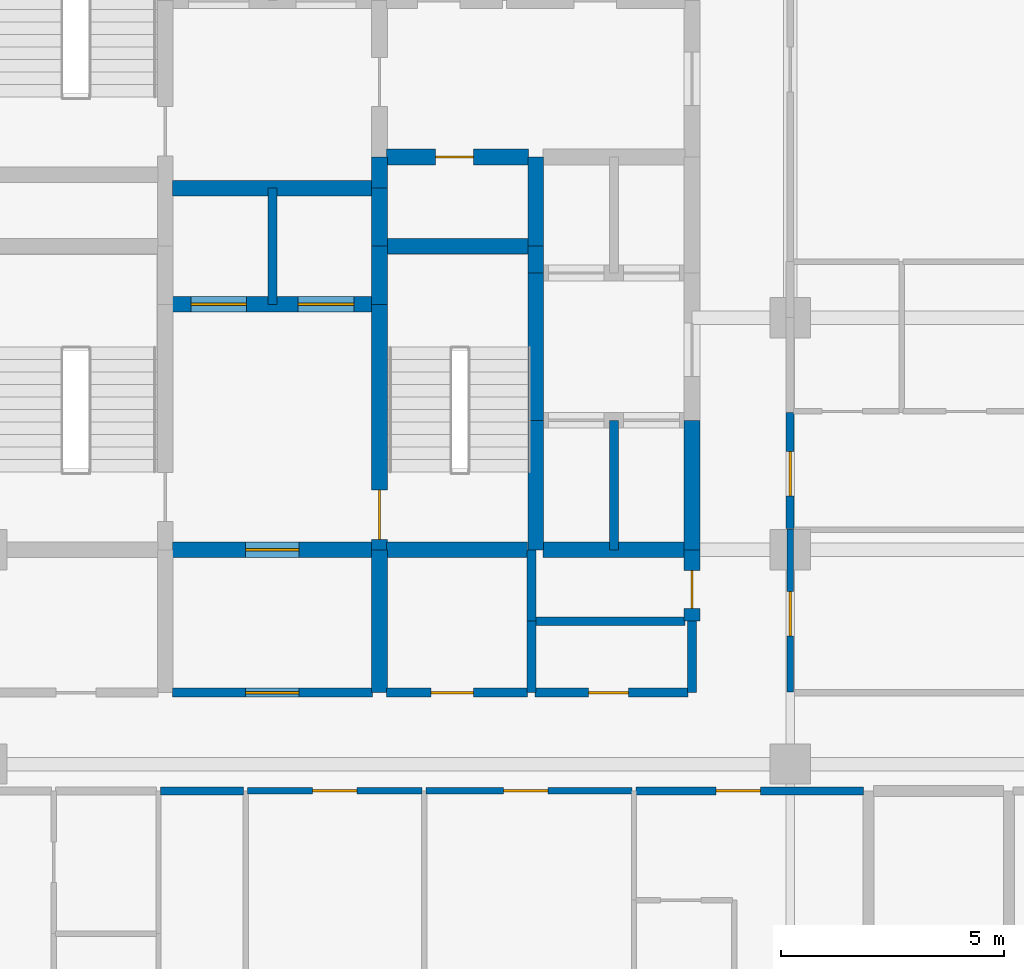
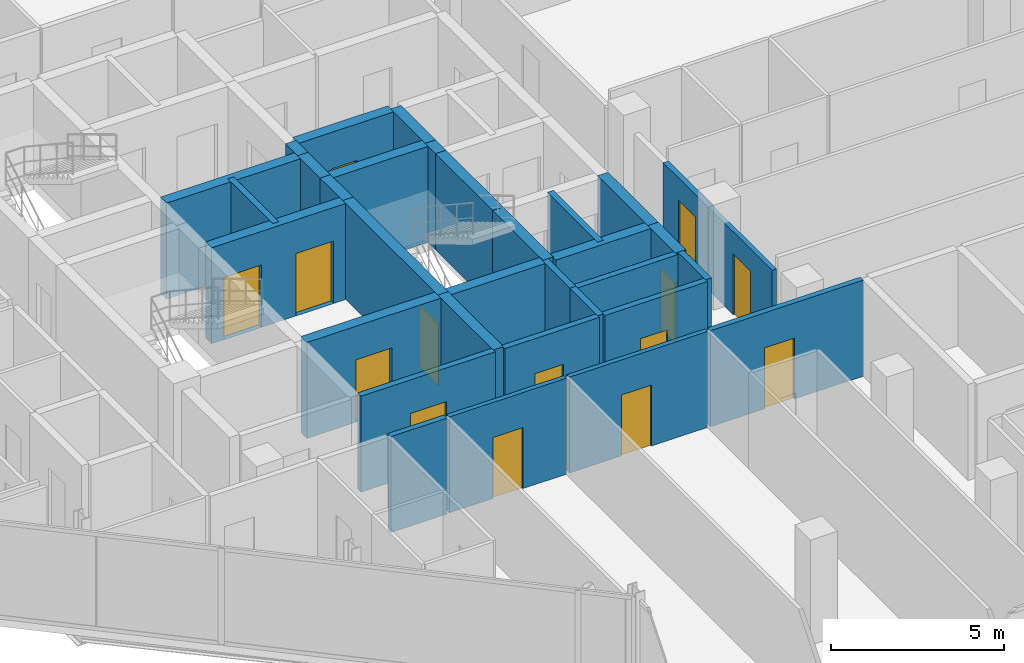
# One storey, part 26 of 32: 33 walls, 14 doors, 14 openings.
"""IFC4 building model written with IfcOpenShell, lengths in metres."""

from ifc_helpers import new_model, si_unit, direction, frame, frame_2d, origin, place, context, subcontext, project, spatial, rectangle, extrude, material, layer, layer_set, type_object, element, fill, save


model = new_model("IFC4")

# Units and contexts
model_context = context("Model", 3, precision=1e-05, world=origin(), true_north=direction((0.0, 1.0)))
body_context = subcontext(model_context, "Body", "Model", "MODEL_VIEW")
ifc_project = project(units=[si_unit("LENGTHUNIT", "METRE"), si_unit("AREAUNIT", "SQUARE_METRE"), si_unit("VOLUMEUNIT", "CUBIC_METRE"), si_unit("PLANEANGLEUNIT", "RADIAN"), si_unit("MASSUNIT", "GRAM", prefix="KILO")], contexts=[model_context])

# Site, building, storey
site_placement = place(None, origin())
site = spatial("IfcSite", under=ifc_project, at=site_placement, CompositionType="ELEMENT")
building_placement = place(site_placement, origin())
building = spatial("IfcBuilding", under=site, at=building_placement, Name="Keshet Zoharim Tower", CompositionType="ELEMENT")
storey_placement = place(building_placement, frame((0.0, 0.0, 137.199951171875)))
storey = spatial("IfcBuildingStorey", under=building, at=storey_placement, Name="L33", CompositionType="ELEMENT", Elevation=137.199951171875)

# Wall, opening, door
ifc_material_1 = material(Name="Gypsum Plasterboard", Category="gypsum")
ifc_layer_1 = layer(ifc_material_1, 0.14990234375)
ifc_layer_set_1 = layer_set([ifc_layer_1], Name="Gypsum Plasterboard")
wall_type_1 = type_object("IfcWallType", Name="WL-CLIN-150", PredefinedType="STANDARD", material=ifc_layer_set_1)
wall_1_placement = place(storey_placement, frame((33.0, 19.510009765625, 0.0), z_axis=(0.0, 0.0, 1.0), x_axis=(0.0, 1.0, 0.0)))
wall_1 = element("IfcWall", 1, at=wall_1_placement, inside=storey, type_object=wall_type_1, Name="L33 Interior Wall 071", PredefinedType="STANDARD", context=body_context, shape_type="SweptSolid", body=[
    extrude(rectangle(XDim=3.659912109375, YDim=0.14990234375, at=frame_2d((1.830078125, 0.0))), origin(), (0.0, 0.0, 1.0), 2.93505859375),
])
opening_1_placement = place(wall_1_placement, frame((1.258056640625, 0.0, 0.0)))
opening_1 = element("IfcOpeningElement", 2, at=opening_1_placement, cuts=wall_1, Name="Opening D-F310", PredefinedType="OPENING", context=body_context, shape_type="SweptSolid", body=[
    extrude(rectangle(XDim=1.0, YDim=2.14990234375, at=frame_2d((0.5, 1.074951171875))), frame((0.0, 0.0849609375, 0.0), z_axis=(0.0, -1.0, 0.0), x_axis=(1.0, 0.0, 0.0)), (0.0, 0.0, 1.0), 0.169921875),
])
ifc_material_2 = material(Name="Hardwood Timber", Category="wood")
door_type_1 = type_object("IfcDoorType", Name="DR-FD30-100", OperationType="NOTDEFINED", PredefinedType="DOOR", material=ifc_material_2)
door_1_placement = place(opening_1_placement, origin())
door_1 = element("IfcDoor", 3, at=door_1_placement, inside=storey, type_object=door_type_1, Name="L33 South East Residents Services Suite Door 2", OperationType="SINGLE_SWING_RIGHT", OverallHeight=2.14990234375, OverallWidth=1.0, PredefinedType="DOOR", context=body_context, shape_type="SweptSolid", body=[
    extrude(rectangle(XDim=1.0, YDim=2.14990234375, at=frame_2d((0.5, 1.074951171875))), frame((0.0, 0.02490234375, 0.0), z_axis=(0.0, -1.0, 0.0), x_axis=(1.0, 0.0, 0.0)), (0.0, 0.0, 1.0), 0.050048828125),
])
fill(opening_1, door_1)

wall_2_placement = place(storey_placement, frame((20.844970703125, 17.300048828125, 0.0), z_axis=(0.0, 0.0, 1.0), x_axis=(1.0, 0.0, 0.0)))
wall_2 = element("IfcWall", 4, at=wall_2_placement, inside=storey, type_object=wall_type_1, Name="L33 Interior Wall 134", PredefinedType="STANDARD", context=body_context, shape_type="SweptSolid", body=[
    extrude(rectangle(XDim=3.909912109375, YDim=0.14990234375, at=frame_2d((1.955078125, 0.0))), origin(), (0.0, 0.0, 1.0), 3.385009765625),
])
opening_2_placement = place(wall_2_placement, frame((1.455078125, 0.0, 0.0)))
opening_2 = element("IfcOpeningElement", 5, at=opening_2_placement, cuts=wall_2, Name="Opening D-F310", PredefinedType="OPENING", context=body_context, shape_type="SweptSolid", body=[
    extrude(rectangle(XDim=1.0, YDim=2.14990234375, at=frame_2d((0.5, 1.074951171875))), frame((0.0, 0.0849609375, 0.0), z_axis=(0.0, -1.0, 0.0), x_axis=(1.0, 0.0, 0.0)), (0.0, 0.0, 1.0), 0.169921875),
])
door_2_placement = place(opening_2_placement, origin())
door_2 = element("IfcDoor", 6, at=door_2_placement, inside=storey, type_object=door_type_1, Name="L33 Residents Music Studio Door", OperationType="SINGLE_SWING_RIGHT", OverallHeight=2.14990234375, OverallWidth=1.0, PredefinedType="DOOR", context=body_context, shape_type="SweptSolid", body=[
    extrude(rectangle(XDim=1.0, YDim=2.14990234375, at=frame_2d((0.5, 1.074951171875))), frame((0.0, 0.02490234375, 0.0), z_axis=(0.0, -1.0, 0.0), x_axis=(1.0, 0.0, 0.0)), (0.0, 0.0, 1.0), 0.050048828125),
])
fill(opening_2, door_2)

wall_3_placement = place(storey_placement, frame((24.844970703125, 17.300048828125, 0.0), z_axis=(0.0, 0.0, 1.0), x_axis=(1.0, 0.0, 0.0)))
wall_3 = element("IfcWall", 7, at=wall_3_placement, inside=storey, type_object=wall_type_1, Name="L33 Interior Wall 135", PredefinedType="STANDARD", context=body_context, shape_type="SweptSolid", body=[
    extrude(rectangle(XDim=4.610107421875, YDim=0.14990234375, at=frame_2d((2.30517578125, 0.0))), origin(), (0.0, 0.0, 1.0), 3.385009765625),
])
opening_3_placement = place(wall_3_placement, frame((1.73388671875, 0.0, 0.0)))
opening_3 = element("IfcOpeningElement", 8, at=opening_3_placement, cuts=wall_3, Name="Opening D-F310", PredefinedType="OPENING", context=body_context, shape_type="SweptSolid", body=[
    extrude(rectangle(XDim=1.0, YDim=2.14990234375, at=frame_2d((0.5, 1.074951171875))), frame((0.0, 0.0849609375, 0.0), z_axis=(0.0, -1.0, 0.0), x_axis=(1.0, 0.0, 0.0)), (0.0, 0.0, 1.0), 0.169921875),
])
door_3_placement = place(opening_3_placement, origin())
door_3 = element("IfcDoor", 9, at=door_3_placement, inside=storey, type_object=door_type_1, Name="L33 Residents Art Workshop Door", OperationType="SINGLE_SWING_LEFT", OverallHeight=2.14990234375, OverallWidth=1.0, PredefinedType="DOOR", context=body_context, shape_type="SweptSolid", body=[
    extrude(rectangle(XDim=1.0, YDim=2.14990234375, at=frame_2d((0.5, 1.074951171875))), frame((0.0, 0.02490234375, 0.0), z_axis=(0.0, -1.0, 0.0), x_axis=(1.0, 0.0, 0.0)), (0.0, 0.0, 1.0), 0.050048828125),
])
fill(opening_3, door_3)

# Wall
ifc_material_3 = material(Name="Concrete C60/75", Category="concrete")
ifc_layer_2 = layer(ifc_material_3, 0.35009765625)
ifc_layer_set_2 = layer_set([ifc_layer_2], Name="Concrete C60/75")
wall_type_2 = type_object("IfcWallType", Name="WL-CORE-350", PredefinedType="SHEAR", material=ifc_layer_set_2)
wall_4_placement = place(storey_placement, frame((23.800048828125, 19.5, 0.0), z_axis=(0.0, 0.0, 1.0), x_axis=(0.0, 1.0, 0.0)))
element("IfcWall", 10, at=wall_4_placement, inside=storey, type_object=wall_type_2, Name="L33 Core Shear Wall 034", PredefinedType="SHEAR", context=body_context, shape_type="SweptSolid", body=[
    extrude(rectangle(XDim=3.199951171875, YDim=0.35009765625, at=frame_2d((1.60009765625, 0.0))), origin(), (0.0, 0.0, 1.0), 3.385009765625),
])

# Wall, opening, door
wall_5_placement = place(storey_placement, frame((23.800048828125, 22.699951171875, 0.0), z_axis=(0.0, 0.0, 1.0), x_axis=(0.0, 1.0, 0.0)))
wall_5 = element("IfcWall", 11, at=wall_5_placement, inside=storey, type_object=wall_type_2, Name="L33 Core Shear Wall 035", PredefinedType="SHEAR", context=body_context, shape_type="SweptSolid", body=[
    extrude(rectangle(XDim=5.5, YDim=0.35009765625, at=frame_2d((2.75, 0.0))), origin(), (0.0, 0.0, 1.0), 3.385009765625),
])
opening_4_placement = place(wall_5_placement, frame((0.235107421875, 0.0, 0.0)))
opening_4 = element("IfcOpeningElement", 12, at=opening_4_placement, cuts=wall_5, Name="Opening D-F611", PredefinedType="OPENING", context=body_context, shape_type="SweptSolid", body=[
    extrude(rectangle(XDim=1.10009765625, YDim=2.14990234375, at=frame_2d((0.550048828125, 1.074951171875))), frame((0.0, 0.18505859375, 0.0), z_axis=(0.0, -1.0, 0.0), x_axis=(1.0, 0.0, 0.0)), (0.0, 0.0, 1.0), 0.3701171875),
])
door_type_2 = type_object("IfcDoorType", Name="DR-FD60-110", OperationType="NOTDEFINED", PredefinedType="DOOR", material=ifc_material_2)
door_4_placement = place(opening_4_placement, frame((1.10009765625, 0.0, 0.0), z_axis=(0.0, 0.0, 1.0), x_axis=(-1.0, 0.0, 0.0)))
door_4 = element("IfcDoor", 13, at=door_4_placement, inside=storey, type_object=door_type_2, Name="L33 Exit Stair ST-03 Fire Door", OperationType="SINGLE_SWING_LEFT", OverallHeight=2.14990234375, OverallWidth=1.10009765625, PredefinedType="DOOR", context=body_context, shape_type="SweptSolid", body=[
    extrude(rectangle(XDim=1.10009765625, YDim=2.14990234375, at=frame_2d((0.550048828125, 1.074951171875))), frame((0.0, 0.02490234375, 0.0), z_axis=(0.0, -1.0, 0.0), x_axis=(1.0, 0.0, 0.0)), (0.0, 0.0, 1.0), 0.050048828125),
])
fill(opening_4, door_4)

# Walls
for number, where, z_axis, x_axis, name in (
    (14, (23.800048828125, 28.199951171875, 0.0), (0.0, 0.0, 1.0), (0.0, 1.0, 0.0), "L33 Core Shear Wall 036"),
    (15, (23.800048828125, 29.5, 0.0), (0.0, 0.0, 1.0), (0.0, 1.0, 0.0), "L33 Core Shear Wall 037"),
):
    element("IfcWall", number, at=place(storey_placement, frame(where, z_axis=z_axis, x_axis=x_axis)), inside=storey, type_object=wall_type_2, Name=name, PredefinedType="SHEAR", context=body_context, shape_type="SweptSolid", body=[
        extrude(rectangle(XDim=1.300048828125, YDim=0.35009765625, at=frame_2d((0.64990234375, 0.0))), origin(), (0.0, 0.0, 1.0), 3.385009765625),
    ])
wall_6_placement = place(storey_placement, frame((23.800048828125, 30.800048828125, 0.0), z_axis=(0.0, 0.0, 1.0), x_axis=(0.0, 1.0, 0.0)))
element("IfcWall", 16, at=wall_6_placement, inside=storey, type_object=wall_type_2, Name="L33 Core Shear Wall 038", PredefinedType="SHEAR", context=body_context, shape_type="SweptSolid", body=[
    extrude(rectangle(XDim=0.699951171875, YDim=0.35009765625, at=frame_2d((0.35009765625, 0.0))), origin(), (0.0, 0.0, 1.0), 3.385009765625),
])
wall_7_placement = place(storey_placement, frame((27.300048828125, 22.699951171875, 0.0), z_axis=(0.0, 0.0, 1.0), x_axis=(0.0, 1.0, 0.0)))
element("IfcWall", 17, at=wall_7_placement, inside=storey, type_object=wall_type_2, Name="L33 Core Shear Wall 048", PredefinedType="SHEAR", context=body_context, shape_type="SweptSolid", body=[
    extrude(rectangle(XDim=2.900146484375, YDim=0.35009765625, at=frame_2d((1.4501953125, 0.0))), origin(), (0.0, 0.0, 1.0), 3.385009765625),
])
wall_8_placement = place(storey_placement, frame((27.300048828125, 25.60009765625, 0.0), z_axis=(0.0, 0.0, 1.0), x_axis=(0.0, 1.0, 0.0)))
element("IfcWall", 18, at=wall_8_placement, inside=storey, type_object=wall_type_2, Name="L33 Core Shear Wall 049", PredefinedType="SHEAR", context=body_context, shape_type="SweptSolid", body=[
    extrude(rectangle(XDim=3.2998046875, YDim=0.35009765625, at=frame_2d((1.64990234375, 0.0))), origin(), (0.0, 0.0, 1.0), 3.385009765625),
])
wall_9_placement = place(storey_placement, frame((27.300048828125, 28.89990234375, 0.0), z_axis=(0.0, 0.0, 1.0), x_axis=(0.0, 1.0, 0.0)))
element("IfcWall", 19, at=wall_9_placement, inside=storey, type_object=wall_type_2, Name="L33 Core Shear Wall 050", PredefinedType="SHEAR", context=body_context, shape_type="SweptSolid", body=[
    extrude(rectangle(XDim=0.60009765625, YDim=0.35009765625, at=frame_2d((0.300048828125, 0.0))), origin(), (0.0, 0.0, 1.0), 3.385009765625),
])
wall_10_placement = place(storey_placement, frame((27.300048828125, 29.5, 0.0), z_axis=(0.0, 0.0, 1.0), x_axis=(0.0, 1.0, 0.0)))
element("IfcWall", 20, at=wall_10_placement, inside=storey, type_object=wall_type_2, Name="L33 Core Shear Wall 051", PredefinedType="SHEAR", context=body_context, shape_type="SweptSolid", body=[
    extrude(rectangle(XDim=2.0, YDim=0.35009765625, at=frame_2d((1.0, 0.0))), origin(), (0.0, 0.0, 1.0), 3.385009765625),
])

# Wall, opening, door
wall_11_placement = place(storey_placement, frame((30.800048828125, 21.10009765625, 0.0), z_axis=(0.0, 0.0, 1.0), x_axis=(0.0, 1.0, 0.0)))
wall_11 = element("IfcWall", 21, at=wall_11_placement, inside=storey, type_object=wall_type_2, Name="L33 Core Shear Wall 059", PredefinedType="SHEAR", context=body_context, shape_type="SweptSolid", body=[
    extrude(rectangle(XDim=1.599853515625, YDim=0.35009765625, at=frame_2d((0.7998046875, 0.0))), origin(), (0.0, 0.0, 1.0), 3.385009765625),
])
opening_5_placement = place(wall_11_placement, frame((0.287109375, 0.0, 0.0)))
opening_5 = element("IfcOpeningElement", 22, at=opening_5_placement, cuts=wall_11, Name="Opening D-RS85", PredefinedType="OPENING", context=body_context, shape_type="SweptSolid", body=[
    extrude(rectangle(XDim=0.85009765625, YDim=2.10009765625, at=frame_2d((0.425048828125, 1.050048828125))), frame((0.0, 0.18505859375, 0.0), z_axis=(0.0, -1.0, 0.0), x_axis=(1.0, 0.0, 0.0)), (0.0, 0.0, 1.0), 0.3701171875),
])
door_type_3 = type_object("IfcDoorType", Name="DR-RIS-085", OperationType="NOTDEFINED", PredefinedType="DOOR", material=ifc_material_2)
door_5_placement = place(opening_5_placement, origin())
door_5 = element("IfcDoor", 23, at=door_5_placement, inside=storey, type_object=door_type_3, Name="L33 Linen Store Door", OperationType="SINGLE_SWING_LEFT", OverallHeight=2.10009765625, OverallWidth=0.85009765625, PredefinedType="DOOR", context=body_context, shape_type="SweptSolid", body=[
    extrude(rectangle(XDim=0.85009765625, YDim=2.10009765625, at=frame_2d((0.425048828125, 1.050048828125))), frame((0.0, 0.02490234375, 0.0), z_axis=(0.0, -1.0, 0.0), x_axis=(1.0, 0.0, 0.0)), (0.0, 0.0, 1.0), 0.050048828125),
])
fill(opening_5, door_5)

# Wall
wall_12_placement = place(storey_placement, frame((30.800048828125, 22.699951171875, 0.0), z_axis=(0.0, 0.0, 1.0), x_axis=(0.0, 1.0, 0.0)))
element("IfcWall", 24, at=wall_12_placement, inside=storey, type_object=wall_type_2, Name="L33 Core Shear Wall 060", PredefinedType="SHEAR", context=body_context, shape_type="SweptSolid", body=[
    extrude(rectangle(XDim=2.900146484375, YDim=0.35009765625, at=frame_2d((1.4501953125, 0.0))), origin(), (0.0, 0.0, 1.0), 3.385009765625),
])

# Wall, opening, door
wall_13_placement = place(storey_placement, frame((19.159912109375, 22.699951171875, 0.0), z_axis=(0.0, 0.0, 1.0), x_axis=(1.0, 0.0, 0.0)))
wall_13 = element("IfcWall", 25, at=wall_13_placement, inside=storey, type_object=wall_type_2, Name="L33 Core Shear Wall 155", PredefinedType="SHEAR", context=body_context, shape_type="SweptSolid", body=[
    extrude(rectangle(XDim=4.47998046875, YDim=0.35009765625, at=frame_2d((2.239990234375, 0.0))), origin(), (0.0, 0.0, 1.0), 3.385009765625),
])
opening_6_placement = place(wall_13_placement, frame((1.639892578125, 0.0, 0.0)))
opening_6 = element("IfcOpeningElement", 26, at=opening_6_placement, cuts=wall_13, Name="Opening D-F612", PredefinedType="OPENING", context=body_context, shape_type="SweptSolid", body=[
    extrude(rectangle(XDim=1.199951171875, YDim=2.199951171875, at=frame_2d((0.60009765625, 1.10009765625))), frame((0.0, 0.18505859375, 0.0), z_axis=(0.0, -1.0, 0.0), x_axis=(1.0, 0.0, 0.0)), (0.0, 0.0, 1.0), 0.3701171875),
])
door_type_4 = type_object("IfcDoorType", Name="DR-FD60-120", OperationType="NOTDEFINED", PredefinedType="DOOR", material=ifc_material_2)
door_6_placement = place(opening_6_placement, origin())
door_6 = element("IfcDoor", 27, at=door_6_placement, inside=storey, type_object=door_type_4, Name="L33 South Core Lobby Fire Door", OperationType="SINGLE_SWING_LEFT", OverallHeight=2.199951171875, OverallWidth=1.199951171875, PredefinedType="DOOR", context=body_context, shape_type="SweptSolid", body=[
    extrude(rectangle(XDim=1.199951171875, YDim=2.199951171875, at=frame_2d((0.60009765625, 1.10009765625))), frame((0.0, 0.02490234375, 0.0), z_axis=(0.0, -1.0, 0.0), x_axis=(1.0, 0.0, 0.0)), (0.0, 0.0, 1.0), 0.050048828125),
])
fill(opening_6, door_6)

# Walls
wall_14_placement = place(storey_placement, frame((23.9599609375, 22.699951171875, 0.0), z_axis=(0.0, 0.0, 1.0), x_axis=(1.0, 0.0, 0.0)))
element("IfcWall", 28, at=wall_14_placement, inside=storey, type_object=wall_type_2, Name="L33 Core Shear Wall 156", PredefinedType="SHEAR", context=body_context, shape_type="SweptSolid", body=[
    extrude(rectangle(XDim=3.155029296875, YDim=0.35009765625, at=frame_2d((1.57763671875, 0.0))), origin(), (0.0, 0.0, 1.0), 3.385009765625),
])
wall_15_placement = place(storey_placement, frame((27.4599609375, 22.699951171875, 0.0), z_axis=(0.0, 0.0, 1.0), x_axis=(1.0, 0.0, 0.0)))
element("IfcWall", 29, at=wall_15_placement, inside=storey, type_object=wall_type_2, Name="L33 Core Shear Wall 157", PredefinedType="SHEAR", context=body_context, shape_type="SweptSolid", body=[
    extrude(rectangle(XDim=3.179931640625, YDim=0.35009765625, at=frame_2d((1.58984375, 0.0))), origin(), (0.0, 0.0, 1.0), 3.385009765625),
])

# Wall, openings, doors
wall_16_placement = place(storey_placement, frame((19.159912109375, 28.199951171875, 0.0), z_axis=(0.0, 0.0, 1.0), x_axis=(1.0, 0.0, 0.0)))
wall_16 = element("IfcWall", 30, at=wall_16_placement, inside=storey, type_object=wall_type_2, Name="L33 Core Shear Wall 167", PredefinedType="SHEAR", context=body_context, shape_type="SweptSolid", body=[
    extrude(rectangle(XDim=4.47998046875, YDim=0.35009765625, at=frame_2d((2.239990234375, 0.0))), origin(), (0.0, 0.0, 1.0), 3.385009765625),
])
opening_7_placement = place(wall_16_placement, frame((0.4150390625, 0.0, 0.0)))
opening_7 = element("IfcOpeningElement", 31, at=opening_7_placement, cuts=wall_16, Name="Opening LD-01", PredefinedType="OPENING", context=body_context, shape_type="SweptSolid", body=[
    extrude(rectangle(XDim=1.25, YDim=2.199951171875, at=frame_2d((0.625, 1.10009765625))), frame((0.0, 0.18505859375, 0.0), z_axis=(0.0, -1.0, 0.0), x_axis=(1.0, 0.0, 0.0)), (0.0, 0.0, 1.0), 0.3701171875),
])
opening_8_placement = place(wall_16_placement, frame((2.81494140625, 0.0, 0.0)))
opening_8 = element("IfcOpeningElement", 32, at=opening_8_placement, cuts=wall_16, Name="Opening LD-01", PredefinedType="OPENING", context=body_context, shape_type="SweptSolid", body=[
    extrude(rectangle(XDim=1.25, YDim=2.199951171875, at=frame_2d((0.625, 1.10009765625))), frame((0.0, 0.18505859375, 0.0), z_axis=(0.0, -1.0, 0.0), x_axis=(1.0, 0.0, 0.0)), (0.0, 0.0, 1.0), 0.3701171875),
])
ifc_material_4 = material(Name="Steel S355", Category="steel")
door_type_5 = type_object("IfcDoorType", Name="DR-LD01-125", OperationType="DOUBLE_DOOR_SLIDING", PredefinedType="DOOR", material=ifc_material_4)
door_7_placement = place(opening_7_placement, origin())
door_7 = element("IfcDoor", 33, at=door_7_placement, inside=storey, type_object=door_type_5, Name="L33 Passenger Lift Landing Door LF-09", OperationType="DOUBLE_DOOR_SLIDING", OverallHeight=2.199951171875, OverallWidth=1.25, PredefinedType="DOOR", context=body_context, shape_type="SweptSolid", body=[
    extrude(rectangle(XDim=1.25, YDim=2.199951171875, at=frame_2d((0.625, 1.10009765625))), frame((0.0, 0.02490234375, 0.0), z_axis=(0.0, -1.0, 0.0), x_axis=(1.0, 0.0, 0.0)), (0.0, 0.0, 1.0), 0.050048828125),
])
fill(opening_7, door_7)
door_8_placement = place(opening_8_placement, origin())
door_8 = element("IfcDoor", 34, at=door_8_placement, inside=storey, type_object=door_type_5, Name="L33 Passenger Lift Landing Door LF-10", OperationType="DOUBLE_DOOR_SLIDING", OverallHeight=2.199951171875, OverallWidth=1.25, PredefinedType="DOOR", context=body_context, shape_type="SweptSolid", body=[
    extrude(rectangle(XDim=1.25, YDim=2.199951171875, at=frame_2d((0.625, 1.10009765625))), frame((0.0, 0.02490234375, 0.0), z_axis=(0.0, -1.0, 0.0), x_axis=(1.0, 0.0, 0.0)), (0.0, 0.0, 1.0), 0.050048828125),
])
fill(opening_8, door_8)

# Walls
wall_17_placement = place(storey_placement, frame((23.9599609375, 29.5, 0.0), z_axis=(0.0, 0.0, 1.0), x_axis=(1.0, 0.0, 0.0)))
element("IfcWall", 35, at=wall_17_placement, inside=storey, type_object=wall_type_2, Name="L33 Core Shear Wall 177", PredefinedType="SHEAR", context=body_context, shape_type="SweptSolid", body=[
    extrude(rectangle(XDim=3.179931640625, YDim=0.35009765625, at=frame_2d((1.58984375, 0.0))), origin(), (0.0, 0.0, 1.0), 3.385009765625),
])
wall_18_placement = place(storey_placement, frame((19.159912109375, 30.800048828125, 0.0), z_axis=(0.0, 0.0, 1.0), x_axis=(1.0, 0.0, 0.0)))
element("IfcWall", 36, at=wall_18_placement, inside=storey, type_object=wall_type_2, Name="L33 Core Shear Wall 178", PredefinedType="SHEAR", context=body_context, shape_type="SweptSolid", body=[
    extrude(rectangle(XDim=4.47998046875, YDim=0.35009765625, at=frame_2d((2.239990234375, 0.0))), origin(), (0.0, 0.0, 1.0), 3.385009765625),
])

# Wall, opening, door
wall_19_placement = place(storey_placement, frame((23.9599609375, 31.5, 0.0), z_axis=(0.0, 0.0, 1.0), x_axis=(1.0, 0.0, 0.0)))
wall_19 = element("IfcWall", 37, at=wall_19_placement, inside=storey, type_object=wall_type_2, Name="L33 Core Shear Wall 182", PredefinedType="SHEAR", context=body_context, shape_type="SweptSolid", body=[
    extrude(rectangle(XDim=3.179931640625, YDim=0.35009765625, at=frame_2d((1.58984375, 0.0))), origin(), (0.0, 0.0, 1.0), 3.385009765625),
])
opening_9_placement = place(wall_19_placement, frame((1.093994140625, 0.0, 0.0)))
opening_9 = element("IfcOpeningElement", 38, at=opening_9_placement, cuts=wall_19, Name="Opening D-RS85", PredefinedType="OPENING", context=body_context, shape_type="SweptSolid", body=[
    extrude(rectangle(XDim=0.85009765625, YDim=2.10009765625, at=frame_2d((0.425048828125, 1.050048828125))), frame((0.0, 0.18505859375, 0.0), z_axis=(0.0, -1.0, 0.0), x_axis=(1.0, 0.0, 0.0)), (0.0, 0.0, 1.0), 0.3701171875),
])
door_9_placement = place(opening_9_placement, origin())
door_9 = element("IfcDoor", 39, at=door_9_placement, inside=storey, type_object=door_type_3, Name="L33 Telecom Riser Access Cupboard Door", OperationType="SINGLE_SWING_RIGHT", OverallHeight=2.10009765625, OverallWidth=0.85009765625, PredefinedType="DOOR", context=body_context, shape_type="SweptSolid", body=[
    extrude(rectangle(XDim=0.85009765625, YDim=2.10009765625, at=frame_2d((0.425048828125, 1.050048828125))), frame((0.0, 0.02490234375, 0.0), z_axis=(0.0, -1.0, 0.0), x_axis=(1.0, 0.0, 0.0)), (0.0, 0.0, 1.0), 0.050048828125),
])
fill(opening_9, door_9)

ifc_layer_3 = layer(ifc_material_1, 0.179931640625)
ifc_layer_set_3 = layer_set([ifc_layer_3], Name="Gypsum Plasterboard")
wall_type_3 = type_object("IfcWallType", Name="WL-CORR-180", PredefinedType="STANDARD", material=ifc_layer_set_3)
wall_20_placement = place(storey_placement, frame((33.0, 23.179931640625, 0.0), z_axis=(0.0, 0.0, 1.0), x_axis=(0.0, 1.0, 0.0)))
wall_20 = element("IfcWall", 40, at=wall_20_placement, inside=storey, type_object=wall_type_3, Name="L33 Interior Wall 072", PredefinedType="STANDARD", context=body_context, shape_type="SweptSolid", body=[
    extrude(rectangle(XDim=2.60009765625, YDim=0.179931640625, at=frame_2d((1.300048828125, 0.0))), origin(), (0.0, 0.0, 1.0), 2.93505859375),
])
opening_10_placement = place(wall_20_placement, frame((0.722900390625, 0.0, 0.0)))
opening_10 = element("IfcOpeningElement", 41, at=opening_10_placement, cuts=wall_20, Name="Opening D-F310", PredefinedType="OPENING", context=body_context, shape_type="SweptSolid", body=[
    extrude(rectangle(XDim=1.0, YDim=2.14990234375, at=frame_2d((0.5, 1.074951171875))), frame((0.0, 0.10009765625, 0.0), z_axis=(0.0, -1.0, 0.0), x_axis=(1.0, 0.0, 0.0)), (0.0, 0.0, 1.0), 0.199951171875),
])
door_10_placement = place(opening_10_placement, origin())
door_10 = element("IfcDoor", 42, at=door_10_placement, inside=storey, type_object=door_type_1, Name="Apartment 3309 Entrance Door", OperationType="SINGLE_SWING_LEFT", OverallHeight=2.14990234375, OverallWidth=1.0, PredefinedType="DOOR", context=body_context, shape_type="SweptSolid", body=[
    extrude(rectangle(XDim=1.0, YDim=2.14990234375, at=frame_2d((0.5, 1.074951171875))), frame((0.0, 0.02490234375, 0.0), z_axis=(0.0, -1.0, 0.0), x_axis=(1.0, 0.0, 0.0)), (0.0, 0.0, 1.0), 0.050048828125),
])
fill(opening_10, door_10)

# Wall
wall_21_placement = place(storey_placement, frame((18.89501953125, 17.300048828125, 0.0), z_axis=(0.0, 0.0, 1.0), x_axis=(1.0, 0.0, 0.0)))
element("IfcWall", 43, at=wall_21_placement, inside=storey, type_object=wall_type_3, Name="L33 Interior Wall 133", PredefinedType="STANDARD", context=body_context, shape_type="SweptSolid", body=[
    extrude(rectangle(XDim=1.85986328125, YDim=0.179931640625, at=frame_2d((0.929931640625, 0.0))), origin(), (0.0, 0.0, 1.0), 3.385009765625),
])

# Wall, opening, door
wall_22_placement = place(storey_placement, frame((29.544921875, 17.300048828125, 0.0), z_axis=(0.0, 0.0, 1.0), x_axis=(1.0, 0.0, 0.0)))
wall_22 = element("IfcWall", 44, at=wall_22_placement, inside=storey, type_object=wall_type_3, Name="L33 Interior Wall 136", PredefinedType="STANDARD", context=body_context, shape_type="SweptSolid", body=[
    extrude(rectangle(XDim=5.094970703125, YDim=0.179931640625, at=frame_2d((2.54736328125, 0.0))), origin(), (0.0, 0.0, 1.0), 3.385009765625),
])
opening_11_placement = place(wall_22_placement, frame((1.7919921875, 0.0, 0.0)))
opening_11 = element("IfcOpeningElement", 45, at=opening_11_placement, cuts=wall_22, Name="Opening D-F310", PredefinedType="OPENING", context=body_context, shape_type="SweptSolid", body=[
    extrude(rectangle(XDim=1.0, YDim=2.14990234375, at=frame_2d((0.5, 1.074951171875))), frame((0.0, 0.10009765625, 0.0), z_axis=(0.0, -1.0, 0.0), x_axis=(1.0, 0.0, 0.0)), (0.0, 0.0, 1.0), 0.199951171875),
])
door_11_placement = place(opening_11_placement, origin())
door_11 = element("IfcDoor", 46, at=door_11_placement, inside=storey, type_object=door_type_1, Name="Apartment 3302 Entrance Door", OperationType="SINGLE_SWING_RIGHT", OverallHeight=2.14990234375, OverallWidth=1.0, PredefinedType="DOOR", context=body_context, shape_type="SweptSolid", body=[
    extrude(rectangle(XDim=1.0, YDim=2.14990234375, at=frame_2d((0.5, 1.074951171875))), frame((0.0, 0.02490234375, 0.0), z_axis=(0.0, -1.0, 0.0), x_axis=(1.0, 0.0, 0.0)), (0.0, 0.0, 1.0), 0.050048828125),
])
fill(opening_11, door_11)

# Walls
ifc_material_5 = material(Name="Concrete C50/60", Category="concrete")
ifc_layer_4 = layer(ifc_material_5, 0.199951171875)
ifc_layer_set_4 = layer_set([ifc_layer_4], Name="Concrete C50/60")
wall_type_4 = type_object("IfcWallType", Name="WL-FIRE-200", PredefinedType="STANDARD", material=ifc_layer_set_4)
wall_23_placement = place(storey_placement, frame((21.39990234375, 28.199951171875, 0.0), z_axis=(0.0, 0.0, 1.0), x_axis=(0.0, 1.0, 0.0)))
element("IfcWall", 47, at=wall_23_placement, inside=storey, type_object=wall_type_4, Name="L33 Interior Wall 032", PredefinedType="STANDARD", context=body_context, shape_type="SweptSolid", body=[
    extrude(rectangle(XDim=2.60009765625, YDim=0.199951171875, at=frame_2d((1.300048828125, 0.0))), origin(), (0.0, 0.0, 1.0), 3.385009765625),
])
wall_24_placement = place(storey_placement, frame((27.199951171875, 19.5, 0.0), z_axis=(0.0, 0.0, 1.0), x_axis=(0.0, 1.0, 0.0)))
element("IfcWall", 48, at=wall_24_placement, inside=storey, type_object=wall_type_4, Name="L33 Interior Wall 046", PredefinedType="STANDARD", context=body_context, shape_type="SweptSolid", body=[
    extrude(rectangle(XDim=1.60009765625, YDim=0.199951171875, at=frame_2d((0.800048828125, 0.0))), origin(), (0.0, 0.0, 1.0), 3.385009765625),
])
wall_25_placement = place(storey_placement, frame((27.199951171875, 21.10009765625, 0.0), z_axis=(0.0, 0.0, 1.0), x_axis=(0.0, 1.0, 0.0)))
element("IfcWall", 49, at=wall_25_placement, inside=storey, type_object=wall_type_4, Name="L33 Interior Wall 047", PredefinedType="STANDARD", context=body_context, shape_type="SweptSolid", body=[
    extrude(rectangle(XDim=1.599853515625, YDim=0.199951171875, at=frame_2d((0.7998046875, 0.0))), origin(), (0.0, 0.0, 1.0), 3.385009765625),
])
wall_26_placement = place(storey_placement, frame((29.050048828125, 22.699951171875, 0.0), z_axis=(0.0, 0.0, 1.0), x_axis=(0.0, 1.0, 0.0)))
element("IfcWall", 50, at=wall_26_placement, inside=storey, type_object=wall_type_4, Name="L33 Interior Wall 054", PredefinedType="STANDARD", context=body_context, shape_type="SweptSolid", body=[
    extrude(rectangle(XDim=2.900146484375, YDim=0.199951171875, at=frame_2d((1.4501953125, 0.0))), origin(), (0.0, 0.0, 1.0), 3.385009765625),
])
wall_27_placement = place(storey_placement, frame((30.800048828125, 19.5, 0.0), z_axis=(0.0, 0.0, 1.0), x_axis=(0.0, 1.0, 0.0)))
element("IfcWall", 51, at=wall_27_placement, inside=storey, type_object=wall_type_4, Name="L33 Interior Wall 058", PredefinedType="STANDARD", context=body_context, shape_type="SweptSolid", body=[
    extrude(rectangle(XDim=1.60009765625, YDim=0.199951171875, at=frame_2d((0.800048828125, 0.0))), origin(), (0.0, 0.0, 1.0), 3.385009765625),
])

# Wall, opening, door
wall_28_placement = place(storey_placement, frame((19.159912109375, 19.5, 0.0), z_axis=(0.0, 0.0, 1.0), x_axis=(1.0, 0.0, 0.0)))
wall_28 = element("IfcWall", 52, at=wall_28_placement, inside=storey, type_object=wall_type_4, Name="L33 Interior Wall 146", PredefinedType="STANDARD", context=body_context, shape_type="SweptSolid", body=[
    extrude(rectangle(XDim=4.47998046875, YDim=0.199951171875, at=frame_2d((2.239990234375, 0.0))), origin(), (0.0, 0.0, 1.0), 3.385009765625),
])
opening_12_placement = place(wall_28_placement, frame((1.639892578125, 0.0, 0.0)))
opening_12 = element("IfcOpeningElement", 53, at=opening_12_placement, cuts=wall_28, Name="Opening D-F612", PredefinedType="OPENING", context=body_context, shape_type="SweptSolid", body=[
    extrude(rectangle(XDim=1.199951171875, YDim=2.199951171875, at=frame_2d((0.60009765625, 1.10009765625))), frame((0.0, 0.10986328125, 0.0), z_axis=(0.0, -1.0, 0.0), x_axis=(1.0, 0.0, 0.0)), (0.0, 0.0, 1.0), 0.219970703125),
])
door_12_placement = place(opening_12_placement, origin())
door_12 = element("IfcDoor", 54, at=door_12_placement, inside=storey, type_object=door_type_4, Name="L33 South Vestibule Corridor Door", OperationType="SINGLE_SWING_LEFT", OverallHeight=2.199951171875, OverallWidth=1.199951171875, PredefinedType="DOOR", context=body_context, shape_type="SweptSolid", body=[
    extrude(rectangle(XDim=1.199951171875, YDim=2.199951171875, at=frame_2d((0.60009765625, 1.10009765625))), frame((0.0, 0.02490234375, 0.0), z_axis=(0.0, -1.0, 0.0), x_axis=(1.0, 0.0, 0.0)), (0.0, 0.0, 1.0), 0.050048828125),
])
fill(opening_12, door_12)

wall_29_placement = place(storey_placement, frame((23.9599609375, 19.5, 0.0), z_axis=(0.0, 0.0, 1.0), x_axis=(1.0, 0.0, 0.0)))
wall_29 = element("IfcWall", 55, at=wall_29_placement, inside=storey, type_object=wall_type_4, Name="L33 Interior Wall 147", PredefinedType="STANDARD", context=body_context, shape_type="SweptSolid", body=[
    extrude(rectangle(XDim=3.155029296875, YDim=0.199951171875, at=frame_2d((1.57763671875, 0.0))), origin(), (0.0, 0.0, 1.0), 3.385009765625),
])
opening_13_placement = place(wall_29_placement, frame((0.990966796875, 0.0, 0.0)))
opening_13 = element("IfcOpeningElement", 56, at=opening_13_placement, cuts=wall_29, Name="Opening D-F695", PredefinedType="OPENING", context=body_context, shape_type="SweptSolid", body=[
    extrude(rectangle(XDim=0.949951171875, YDim=2.14990234375, at=frame_2d((0.47509765625, 1.074951171875))), frame((0.0, 0.10986328125, 0.0), z_axis=(0.0, -1.0, 0.0), x_axis=(1.0, 0.0, 0.0)), (0.0, 0.0, 1.0), 0.219970703125),
])
door_type_6 = type_object("IfcDoorType", Name="DR-FD60-095", OperationType="NOTDEFINED", PredefinedType="DOOR", material=ifc_material_2)
door_13_placement = place(opening_13_placement, origin())
door_13 = element("IfcDoor", 57, at=door_13_placement, inside=storey, type_object=door_type_6, Name="L33 Utility Room Door", OperationType="SINGLE_SWING_RIGHT", OverallHeight=2.14990234375, OverallWidth=0.949951171875, PredefinedType="DOOR", context=body_context, shape_type="SweptSolid", body=[
    extrude(rectangle(XDim=0.949951171875, YDim=2.14990234375, at=frame_2d((0.47509765625, 1.074951171875))), frame((0.0, 0.02490234375, 0.0), z_axis=(0.0, -1.0, 0.0), x_axis=(1.0, 0.0, 0.0)), (0.0, 0.0, 1.0), 0.050048828125),
])
fill(opening_13, door_13)

wall_30_placement = place(storey_placement, frame((27.284912109375, 19.5, 0.0), z_axis=(0.0, 0.0, 1.0), x_axis=(1.0, 0.0, 0.0)))
wall_30 = element("IfcWall", 58, at=wall_30_placement, inside=storey, type_object=wall_type_4, Name="L33 Interior Wall 148", PredefinedType="STANDARD", context=body_context, shape_type="SweptSolid", body=[
    extrude(rectangle(XDim=3.43017578125, YDim=0.199951171875, at=frame_2d((1.715087890625, 0.0))), origin(), (0.0, 0.0, 1.0), 3.385009765625),
])
opening_14_placement = place(wall_30_placement, frame((1.19189453125, 0.0, 0.0)))
opening_14 = element("IfcOpeningElement", 59, at=opening_14_placement, cuts=wall_30, Name="Opening D-F690", PredefinedType="OPENING", context=body_context, shape_type="SweptSolid", body=[
    extrude(rectangle(XDim=0.89990234375, YDim=2.14990234375, at=frame_2d((0.449951171875, 1.074951171875))), frame((0.0, 0.10986328125, 0.0), z_axis=(0.0, -1.0, 0.0), x_axis=(1.0, 0.0, 0.0)), (0.0, 0.0, 1.0), 0.219970703125),
])
door_type_7 = type_object("IfcDoorType", Name="DR-FD60-090", OperationType="NOTDEFINED", PredefinedType="DOOR", material=ifc_material_2)
door_14_placement = place(opening_14_placement, origin())
door_14 = element("IfcDoor", 60, at=door_14_placement, inside=storey, type_object=door_type_7, Name="L33 Valve Room Door", OperationType="SINGLE_SWING_LEFT", OverallHeight=2.14990234375, OverallWidth=0.89990234375, PredefinedType="DOOR", context=body_context, shape_type="SweptSolid", body=[
    extrude(rectangle(XDim=0.89990234375, YDim=2.14990234375, at=frame_2d((0.449951171875, 1.074951171875))), frame((0.0, 0.02490234375, 0.0), z_axis=(0.0, -1.0, 0.0), x_axis=(1.0, 0.0, 0.0)), (0.0, 0.0, 1.0), 0.050048828125),
])
fill(opening_14, door_14)

# Wall
wall_31_placement = place(storey_placement, frame((27.284912109375, 21.10009765625, 0.0), z_axis=(0.0, 0.0, 1.0), x_axis=(1.0, 0.0, 0.0)))
element("IfcWall", 61, at=wall_31_placement, inside=storey, type_object=wall_type_4, Name="L33 Interior Wall 153", PredefinedType="STANDARD", context=body_context, shape_type="SweptSolid", body=[
    extrude(rectangle(XDim=3.35498046875, YDim=0.199951171875, at=frame_2d((1.677490234375, 0.0))), origin(), (0.0, 0.0, 1.0), 3.385009765625),
])

save(model, "model.ifc")
